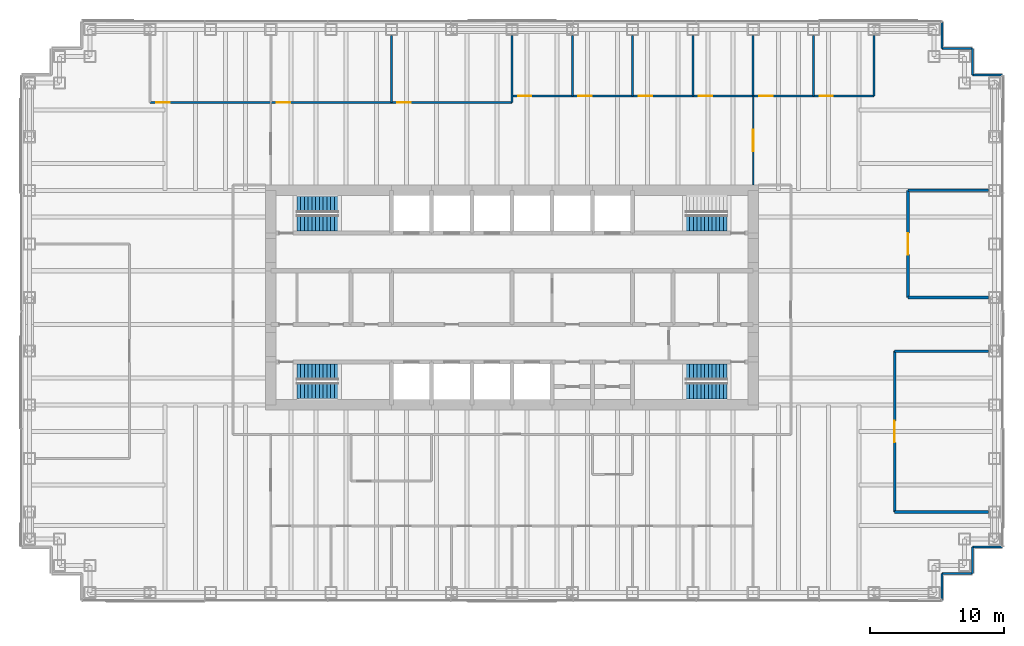
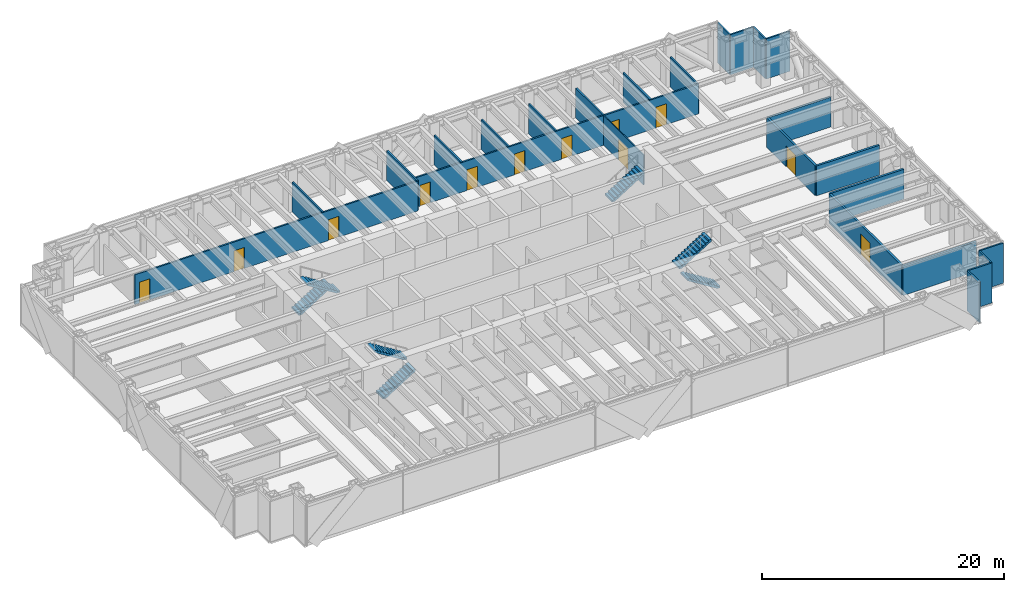
# One storey, part 13 of 15: 25 walls, 12 doors, 7 stair flights, 12 openings, 4 elements without a shape of their own.
"""IFC4 building model written with IfcOpenShell, lengths in metres."""

from ifc_helpers import new_model, si_unit, direction, frame, frame_2d, origin, place, context, subcontext, project, spatial, polyline, rectangle, outline, extrude, material, layer, layer_set, type_object, element, fill, aggregate, save


model = new_model("IFC4")

# Units and contexts
model_context = context("Model", 3, precision=1e-05, world=origin(), true_north=direction((0.0, 1.0)))
body_context = subcontext(model_context, "Body", "Model", "MODEL_VIEW")
ifc_project = project(units=[si_unit("LENGTHUNIT", "METRE"), si_unit("AREAUNIT", "SQUARE_METRE"), si_unit("VOLUMEUNIT", "CUBIC_METRE"), si_unit("PLANEANGLEUNIT", "RADIAN"), si_unit("MASSUNIT", "GRAM", prefix="KILO")], contexts=[model_context])

# Site, building, storey
site_placement = place(None, origin())
site = spatial("IfcSite", under=ifc_project, at=site_placement, CompositionType="ELEMENT")
building_placement = place(site_placement, origin())
building = spatial("IfcBuilding", under=site, at=building_placement, Name="Rheinbord Bourse Tower", CompositionType="ELEMENT")
storey_placement = place(building_placement, frame((0.0, 0.0, 215.199951171875)))
storey = spatial("IfcBuildingStorey", under=building, at=storey_placement, Name="L48", CompositionType="ELEMENT", Elevation=215.199951171875)

# Walls
ifc_material_1 = material(Name="Acoustic gypsum board partition", Category="gypsum board")
ifc_layer_1 = layer(ifc_material_1, 0.199951171875)
ifc_layer_set_1 = layer_set([ifc_layer_1], Name="ACOUSTIC PARTITION 200")
wall_type_1 = type_object("IfcWallType", Name="ACOUSTIC PARTITION 200", PredefinedType="PARTITIONING", material=ifc_layer_set_1)
for number, where, z_axis, x_axis, name in (
    (1, (64.550048828125, 8.0, 0.0), (0.0, 0.0, 1.0), (1.0, 0.0, 0.0), "Partition L48-02"),
    (2, (64.550048828125, 20.0, 0.0), (0.0, 0.0, 1.0), (1.0, 0.0, 0.0), "Partition L48-09"),
):
    element("IfcWall", number, at=place(storey_placement, frame(where, z_axis=z_axis, x_axis=x_axis)), inside=storey, type_object=wall_type_1, Name=name, PredefinedType="PARTITIONING", context=body_context, shape_type="SweptSolid", body=[
        extrude(rectangle(XDim=7.0, YDim=0.199951171875, at=frame_2d((3.5, 0.0))), origin(), (0.0, 0.0, 1.0), 3.0),
    ])
for number, where, z_axis, x_axis, name in (
    (3, (65.550048828125, 24.0, 0.0), (0.0, 0.0, 1.0), (1.0, 0.0, 0.0), "Partition L48-10"),
    (4, (65.550048828125, 32.0, 0.0), (0.0, 0.0, 1.0), (1.0, 0.0, 0.0), "Partition L48-12"),
):
    element("IfcWall", number, at=place(storey_placement, frame(where, z_axis=z_axis, x_axis=x_axis)), inside=storey, type_object=wall_type_1, Name=name, PredefinedType="PARTITIONING", context=body_context, shape_type="SweptSolid", body=[
        extrude(rectangle(XDim=6.0, YDim=0.199951171875, at=frame_2d((3.0, 0.0))), origin(), (0.0, 0.0, 1.0), 3.0),
    ])

# Wall, opening, door
wall_1_placement = place(storey_placement, frame((64.550048828125, 8.0, 0.0), z_axis=(0.0, 0.0, 1.0), x_axis=(0.0, 1.0, 0.0)))
wall_1 = element("IfcWall", 5, at=wall_1_placement, inside=storey, type_object=wall_type_1, Name="Partition L48-47", PredefinedType="PARTITIONING", context=body_context, shape_type="SweptSolid", body=[
    extrude(rectangle(XDim=12.0, YDim=0.199951171875, at=frame_2d((6.0, 0.0))), origin(), (0.0, 0.0, 1.0), 3.0),
])
opening_1_placement = place(wall_1_placement, frame((5.199951171875, 0.0, 0.0)))
opening_1 = element("IfcOpeningElement", 6, at=opening_1_placement, cuts=wall_1, Name="Opening 48D11", PredefinedType="OPENING", context=body_context, shape_type="SweptSolid", body=[
    extrude(rectangle(XDim=1.60009765625, YDim=2.10009765625, at=frame_2d((0.800048828125, 1.050048828125))), frame((0.0, 0.10986328125, 0.0), z_axis=(0.0, -1.0, 0.0), x_axis=(1.0, 0.0, 0.0)), (0.0, 0.0, 1.0), 0.219970703125),
])
ifc_material_2 = material(Name="Timber door", Category="wood")
door_type_1 = type_object("IfcDoorType", Name="DOUBLE ROOM DOOR 1600", OperationType="DOUBLE_DOOR_DOUBLE_SWING", PredefinedType="DOOR", material=ifc_material_2)
door_1_placement = place(opening_1_placement, origin())
door_1 = element("IfcDoor", 7, at=door_1_placement, inside=storey, type_object=door_type_1, Name="Conference room door L48", OperationType="SINGLE_SWING_LEFT", OverallHeight=2.10009765625, OverallWidth=1.60009765625, PredefinedType="DOOR", context=body_context, shape_type="SweptSolid", body=[
    extrude(rectangle(XDim=1.60009765625, YDim=2.10009765625, at=frame_2d((0.800048828125, 1.050048828125))), frame((0.0, 0.02490234375, 0.0), z_axis=(0.0, -1.0, 0.0), x_axis=(1.0, 0.0, 0.0)), (0.0, 0.0, 1.0), 0.050048828125),
])
fill(opening_1, door_1)

wall_2_placement = place(storey_placement, frame((65.550048828125, 24.0, 0.0), z_axis=(0.0, 0.0, 1.0), x_axis=(0.0, 1.0, 0.0)))
wall_2 = element("IfcWall", 8, at=wall_2_placement, inside=storey, type_object=wall_type_1, Name="Partition L48-48", PredefinedType="PARTITIONING", context=body_context, shape_type="SweptSolid", body=[
    extrude(rectangle(XDim=8.0, YDim=0.199951171875, at=frame_2d((4.0, 0.0))), origin(), (0.0, 0.0, 1.0), 3.0),
])
opening_2_placement = place(wall_2_placement, frame((3.199951171875, 0.0, 0.0)))
opening_2 = element("IfcOpeningElement", 9, at=opening_2_placement, cuts=wall_2, Name="Opening 48D13", PredefinedType="OPENING", context=body_context, shape_type="SweptSolid", body=[
    extrude(rectangle(XDim=1.60009765625, YDim=2.10009765625, at=frame_2d((0.800048828125, 1.050048828125))), frame((0.0, 0.10986328125, 0.0), z_axis=(0.0, -1.0, 0.0), x_axis=(1.0, 0.0, 0.0)), (0.0, 0.0, 1.0), 0.219970703125),
])
door_2_placement = place(opening_2_placement, origin())
door_2 = element("IfcDoor", 10, at=door_2_placement, inside=storey, type_object=door_type_1, Name="Conference room door L48", OperationType="SINGLE_SWING_LEFT", OverallHeight=2.10009765625, OverallWidth=1.60009765625, PredefinedType="DOOR", context=body_context, shape_type="SweptSolid", body=[
    extrude(rectangle(XDim=1.60009765625, YDim=2.10009765625, at=frame_2d((0.800048828125, 1.050048828125))), frame((0.0, 0.02490234375, 0.0), z_axis=(0.0, -1.0, 0.0), x_axis=(1.0, 0.0, 0.0)), (0.0, 0.0, 1.0), 0.050048828125),
])
fill(opening_2, door_2)

# Walls
ifc_material_3 = material(Name="Black metal rainscreen panel", Category="aluminium")
ifc_layer_2 = layer(ifc_material_3, 0.14990234375)
ifc_layer_set_2 = layer_set([ifc_layer_2], Name="CORNER PIER CLADDING 150")
wall_type_2 = type_object("IfcWallType", Name="CORNER PIER CLADDING 150", PredefinedType="ELEMENTEDWALL", material=ifc_layer_set_2)
wall_3_placement = place(storey_placement, frame((68.10009765625, 1.39990234375, 0.0), z_axis=(0.0, 0.0, 1.0), x_axis=(0.0, 1.0, 0.0)))
element("IfcWall", 11, at=wall_3_placement, inside=storey, type_object=wall_type_2, Name="Corner pier cladding L48 2", PredefinedType="ELEMENTEDWALL", context=body_context, shape_type="SweptSolid", body=[
    extrude(rectangle(XDim=2.0, YDim=0.14990234375, at=frame_2d((1.0, 0.0))), origin(), (0.0, 0.0, 1.0), 4.0400390625),
])
wall_4_placement = place(storey_placement, frame((68.10009765625, 3.39990234375, 0.0), z_axis=(0.0, 0.0, 1.0), x_axis=(1.0, 0.0, 0.0)))
element("IfcWall", 12, at=wall_4_placement, inside=storey, type_object=wall_type_2, Name="Corner pier cladding L48 3", PredefinedType="ELEMENTEDWALL", context=body_context, shape_type="SweptSolid", body=[
    extrude(rectangle(XDim=2.25, YDim=0.14990234375, at=frame_2d((1.125, 0.0))), origin(), (0.0, 0.0, 1.0), 4.0400390625),
])
wall_5_placement = place(storey_placement, frame((70.35009765625, 3.39990234375, 0.0), z_axis=(0.0, 0.0, 1.0), x_axis=(0.0, 1.0, 0.0)))
element("IfcWall", 13, at=wall_5_placement, inside=storey, type_object=wall_type_2, Name="Corner pier cladding L48 4", PredefinedType="ELEMENTEDWALL", context=body_context, shape_type="SweptSolid", body=[
    extrude(rectangle(XDim=2.0, YDim=0.14990234375, at=frame_2d((1.0, 0.0))), origin(), (0.0, 0.0, 1.0), 4.0400390625),
])
for number, where, z_axis, x_axis, name in (
    (14, (70.35009765625, 5.39990234375, 0.0), (0.0, 0.0, 1.0), (1.0, 0.0, 0.0), "Corner pier cladding L48 5"),
    (15, (72.60009765625, 40.60009765625, 0.0), (0.0, 0.0, 1.0), (-1.0, 0.0, 0.0), "Corner pier cladding L48 7"),
):
    element("IfcWall", number, at=place(storey_placement, frame(where, z_axis=z_axis, x_axis=x_axis)), inside=storey, type_object=wall_type_2, Name=name, PredefinedType="ELEMENTEDWALL", context=body_context, shape_type="SweptSolid", body=[
        extrude(rectangle(XDim=2.25, YDim=0.14990234375, at=frame_2d((1.125, 0.0))), origin(), (0.0, 0.0, 1.0), 4.0400390625),
    ])
wall_6_placement = place(storey_placement, frame((70.35009765625, 40.60009765625, 0.0), z_axis=(0.0, 0.0, 1.0), x_axis=(0.0, 1.0, 0.0)))
element("IfcWall", 16, at=wall_6_placement, inside=storey, type_object=wall_type_2, Name="Corner pier cladding L48 8", PredefinedType="ELEMENTEDWALL", context=body_context, shape_type="SweptSolid", body=[
    extrude(rectangle(XDim=2.0, YDim=0.14990234375, at=frame_2d((1.0, 0.0))), origin(), (0.0, 0.0, 1.0), 4.0400390625),
])
wall_7_placement = place(storey_placement, frame((70.35009765625, 42.60009765625, 0.0), z_axis=(0.0, 0.0, 1.0), x_axis=(-1.0, 0.0, 0.0)))
element("IfcWall", 17, at=wall_7_placement, inside=storey, type_object=wall_type_2, Name="Corner pier cladding L48 9", PredefinedType="ELEMENTEDWALL", context=body_context, shape_type="SweptSolid", body=[
    extrude(rectangle(XDim=2.25, YDim=0.14990234375, at=frame_2d((1.125, 0.0))), origin(), (0.0, 0.0, 1.0), 4.0400390625),
])
wall_8_placement = place(storey_placement, frame((68.10009765625, 42.60009765625, 0.0), z_axis=(0.0, 0.0, 1.0), x_axis=(0.0, 1.0, 0.0)))
element("IfcWall", 18, at=wall_8_placement, inside=storey, type_object=wall_type_2, Name="Corner pier cladding L48 10", PredefinedType="ELEMENTEDWALL", context=body_context, shape_type="SweptSolid", body=[
    extrude(rectangle(XDim=2.0, YDim=0.14990234375, at=frame_2d((1.0, 0.0))), origin(), (0.0, 0.0, 1.0), 4.0400390625),
])

# Wall, opening, door
ifc_material_4 = material(Name="Toughened laminated glass partition", Category="glass")
ifc_layer_3 = layer(ifc_material_4, 0.10009765625)
ifc_layer_set_3 = layer_set([ifc_layer_3], Name="GLAZED PARTITION 100")
wall_type_3 = type_object("IfcWallType", Name="GLAZED PARTITION 100", PredefinedType="PARTITIONING", material=ifc_layer_set_3)
wall_9_placement = place(storey_placement, frame((54.0, 32.39990234375, 0.0), z_axis=(0.0, 0.0, 1.0), x_axis=(0.0, 1.0, 0.0)))
wall_9 = element("IfcWall", 19, at=wall_9_placement, inside=storey, type_object=wall_type_3, Name="Partition L48-42", PredefinedType="PARTITIONING", context=body_context, shape_type="SweptSolid", body=[
    extrude(rectangle(XDim=6.650146484375, YDim=0.10009765625, at=frame_2d((3.3251953125, 0.0))), origin(), (0.0, 0.0, 1.0), 3.0),
])
opening_3_placement = place(wall_9_placement, frame((2.52490234375, 0.0, 0.0)))
opening_3 = element("IfcOpeningElement", 20, at=opening_3_placement, cuts=wall_9, Name="Opening 48D26", PredefinedType="OPENING", context=body_context, shape_type="SweptSolid", body=[
    extrude(rectangle(XDim=1.60009765625, YDim=2.10009765625, at=frame_2d((0.800048828125, 1.050048828125))), frame((0.0, 0.06005859375, 0.0), z_axis=(0.0, -1.0, 0.0), x_axis=(1.0, 0.0, 0.0)), (0.0, 0.0, 1.0), 0.1201171875),
])
door_3_placement = place(opening_3_placement, origin())
door_3 = element("IfcDoor", 21, at=door_3_placement, inside=storey, type_object=door_type_1, Name="Open area door L48", OperationType="SINGLE_SWING_LEFT", OverallHeight=2.10009765625, OverallWidth=1.60009765625, PredefinedType="DOOR", context=body_context, shape_type="SweptSolid", body=[
    extrude(rectangle(XDim=1.60009765625, YDim=2.10009765625, at=frame_2d((0.800048828125, 1.050048828125))), frame((0.0, 0.02490234375, 0.0), z_axis=(0.0, -1.0, 0.0), x_axis=(1.0, 0.0, 0.0)), (0.0, 0.0, 1.0), 0.050048828125),
])
fill(opening_3, door_3)

# Wall, openings, doors
ifc_material_5 = material(Name="Gypsum board partition", Category="gypsum board")
ifc_layer_4 = layer(ifc_material_5, 0.14990234375)
ifc_layer_set_4 = layer_set([ifc_layer_4], Name="PARTITION 150")
wall_type_4 = type_object("IfcWallType", Name="PARTITION 150", PredefinedType="PARTITIONING", material=ifc_layer_set_4)
wall_10_placement = place(storey_placement, frame((9.0, 38.550048828125, 0.0), z_axis=(0.0, 0.0, 1.0), x_axis=(1.0, 0.0, 0.0)))
wall_10 = element("IfcWall", 22, at=wall_10_placement, inside=storey, type_object=wall_type_4, Name="Partition L48-15", PredefinedType="PARTITIONING", context=body_context, shape_type="SweptSolid", body=[
    extrude(rectangle(XDim=27.0, YDim=0.14990234375, at=frame_2d((13.5, 0.0))), origin(), (0.0, 0.0, 1.0), 3.0),
])
opening_4_placement = place(wall_10_placement, frame((0.449951171875, 0.0, 0.0)))
opening_4 = element("IfcOpeningElement", 23, at=opening_4_placement, cuts=wall_10, Name="Opening 48D14", PredefinedType="OPENING", context=body_context, shape_type="SweptSolid", body=[
    extrude(rectangle(XDim=1.0, YDim=2.10009765625, at=frame_2d((0.5, 1.050048828125))), frame((0.0, 0.0849609375, 0.0), z_axis=(0.0, -1.0, 0.0), x_axis=(1.0, 0.0, 0.0)), (0.0, 0.0, 1.0), 0.169921875),
])
opening_5_placement = place(wall_10_placement, frame((9.449951171875, 0.0, 0.0)))
opening_5 = element("IfcOpeningElement", 24, at=opening_5_placement, cuts=wall_10, Name="Opening 48D15", PredefinedType="OPENING", context=body_context, shape_type="SweptSolid", body=[
    extrude(rectangle(XDim=1.0, YDim=2.10009765625, at=frame_2d((0.5, 1.050048828125))), frame((0.0, 0.0849609375, 0.0), z_axis=(0.0, -1.0, 0.0), x_axis=(1.0, 0.0, 0.0)), (0.0, 0.0, 1.0), 0.169921875),
])
opening_6_placement = place(wall_10_placement, frame((18.449951171875, 0.0, 0.0)))
opening_6 = element("IfcOpeningElement", 25, at=opening_6_placement, cuts=wall_10, Name="Opening 48D16", PredefinedType="OPENING", context=body_context, shape_type="SweptSolid", body=[
    extrude(rectangle(XDim=1.0, YDim=2.10009765625, at=frame_2d((0.5, 1.050048828125))), frame((0.0, 0.0849609375, 0.0), z_axis=(0.0, -1.0, 0.0), x_axis=(1.0, 0.0, 0.0)), (0.0, 0.0, 1.0), 0.169921875),
])
ifc_material_6 = material(Name="Timber door", Category="wood")
door_type_2 = type_object("IfcDoorType", Name="ROOM DOOR 1000", OperationType="SINGLE_SWING_LEFT", PredefinedType="DOOR", material=ifc_material_6)
door_4_placement = place(opening_4_placement, origin())
door_4 = element("IfcDoor", 26, at=door_4_placement, inside=storey, type_object=door_type_2, Name="Partner office door L48", OperationType="SINGLE_SWING_LEFT", OverallHeight=2.10009765625, OverallWidth=1.0, PredefinedType="DOOR", context=body_context, shape_type="SweptSolid", body=[
    extrude(rectangle(XDim=1.0, YDim=2.10009765625, at=frame_2d((0.5, 1.050048828125))), frame((0.0, 0.02490234375, 0.0), z_axis=(0.0, -1.0, 0.0), x_axis=(1.0, 0.0, 0.0)), (0.0, 0.0, 1.0), 0.050048828125),
])
fill(opening_4, door_4)
door_5_placement = place(opening_5_placement, origin())
door_5 = element("IfcDoor", 27, at=door_5_placement, inside=storey, type_object=door_type_2, Name="Partner office door L48", OperationType="SINGLE_SWING_LEFT", OverallHeight=2.10009765625, OverallWidth=1.0, PredefinedType="DOOR", context=body_context, shape_type="SweptSolid", body=[
    extrude(rectangle(XDim=1.0, YDim=2.10009765625, at=frame_2d((0.5, 1.050048828125))), frame((0.0, 0.02490234375, 0.0), z_axis=(0.0, -1.0, 0.0), x_axis=(1.0, 0.0, 0.0)), (0.0, 0.0, 1.0), 0.050048828125),
])
fill(opening_5, door_5)
door_6_placement = place(opening_6_placement, origin())
door_6 = element("IfcDoor", 28, at=door_6_placement, inside=storey, type_object=door_type_2, Name="Partner office door L48", OperationType="SINGLE_SWING_RIGHT", OverallHeight=2.10009765625, OverallWidth=1.0, PredefinedType="DOOR", context=body_context, shape_type="SweptSolid", body=[
    extrude(rectangle(XDim=1.0, YDim=2.10009765625, at=frame_2d((0.5, 1.050048828125))), frame((0.0, 0.02490234375, 0.0), z_axis=(0.0, -1.0, 0.0), x_axis=(1.0, 0.0, 0.0)), (0.0, 0.0, 1.0), 0.050048828125),
])
fill(opening_6, door_6)

wall_11_placement = place(storey_placement, frame((36.0, 39.050048828125, 0.0), z_axis=(0.0, 0.0, 1.0), x_axis=(1.0, 0.0, 0.0)))
wall_11 = element("IfcWall", 29, at=wall_11_placement, inside=storey, type_object=wall_type_4, Name="Partition L48-16", PredefinedType="PARTITIONING", context=body_context, shape_type="SweptSolid", body=[
    extrude(rectangle(XDim=27.0, YDim=0.14990234375, at=frame_2d((13.5, 0.0))), origin(), (0.0, 0.0, 1.0), 3.0),
])
opening_7_placement = place(wall_11_placement, frame((0.449951171875, 0.0, 0.0)))
opening_7 = element("IfcOpeningElement", 30, at=opening_7_placement, cuts=wall_11, Name="Opening 48D17", PredefinedType="OPENING", context=body_context, shape_type="SweptSolid", body=[
    extrude(rectangle(XDim=1.0, YDim=2.10009765625, at=frame_2d((0.5, 1.050048828125))), frame((0.0, 0.0849609375, 0.0), z_axis=(0.0, -1.0, 0.0), x_axis=(1.0, 0.0, 0.0)), (0.0, 0.0, 1.0), 0.169921875),
])
opening_8_placement = place(wall_11_placement, frame((4.949951171875, 0.0, 0.0)))
opening_8 = element("IfcOpeningElement", 31, at=opening_8_placement, cuts=wall_11, Name="Opening 48D18", PredefinedType="OPENING", context=body_context, shape_type="SweptSolid", body=[
    extrude(rectangle(XDim=1.0, YDim=2.10009765625, at=frame_2d((0.5, 1.050048828125))), frame((0.0, 0.0849609375, 0.0), z_axis=(0.0, -1.0, 0.0), x_axis=(1.0, 0.0, 0.0)), (0.0, 0.0, 1.0), 0.169921875),
])
opening_9_placement = place(wall_11_placement, frame((9.449951171875, 0.0, 0.0)))
opening_9 = element("IfcOpeningElement", 32, at=opening_9_placement, cuts=wall_11, Name="Opening 48D19", PredefinedType="OPENING", context=body_context, shape_type="SweptSolid", body=[
    extrude(rectangle(XDim=1.0, YDim=2.10009765625, at=frame_2d((0.5, 1.050048828125))), frame((0.0, 0.0849609375, 0.0), z_axis=(0.0, -1.0, 0.0), x_axis=(1.0, 0.0, 0.0)), (0.0, 0.0, 1.0), 0.169921875),
])
opening_10_placement = place(wall_11_placement, frame((13.949951171875, 0.0, 0.0)))
opening_10 = element("IfcOpeningElement", 33, at=opening_10_placement, cuts=wall_11, Name="Opening 48D20", PredefinedType="OPENING", context=body_context, shape_type="SweptSolid", body=[
    extrude(rectangle(XDim=1.0, YDim=2.10009765625, at=frame_2d((0.5, 1.050048828125))), frame((0.0, 0.0849609375, 0.0), z_axis=(0.0, -1.0, 0.0), x_axis=(1.0, 0.0, 0.0)), (0.0, 0.0, 1.0), 0.169921875),
])
opening_11_placement = place(wall_11_placement, frame((18.449951171875, 0.0, 0.0)))
opening_11 = element("IfcOpeningElement", 34, at=opening_11_placement, cuts=wall_11, Name="Opening 48D21", PredefinedType="OPENING", context=body_context, shape_type="SweptSolid", body=[
    extrude(rectangle(XDim=1.0, YDim=2.10009765625, at=frame_2d((0.5, 1.050048828125))), frame((0.0, 0.0849609375, 0.0), z_axis=(0.0, -1.0, 0.0), x_axis=(1.0, 0.0, 0.0)), (0.0, 0.0, 1.0), 0.169921875),
])
opening_12_placement = place(wall_11_placement, frame((22.949951171875, 0.0, 0.0)))
opening_12 = element("IfcOpeningElement", 35, at=opening_12_placement, cuts=wall_11, Name="Opening 48D22", PredefinedType="OPENING", context=body_context, shape_type="SweptSolid", body=[
    extrude(rectangle(XDim=1.0, YDim=2.10009765625, at=frame_2d((0.5, 1.050048828125))), frame((0.0, 0.0849609375, 0.0), z_axis=(0.0, -1.0, 0.0), x_axis=(1.0, 0.0, 0.0)), (0.0, 0.0, 1.0), 0.169921875),
])
door_7_placement = place(opening_7_placement, origin())
door_7 = element("IfcDoor", 36, at=door_7_placement, inside=storey, type_object=door_type_2, Name="Office door L48", OperationType="SINGLE_SWING_LEFT", OverallHeight=2.10009765625, OverallWidth=1.0, PredefinedType="DOOR", context=body_context, shape_type="SweptSolid", body=[
    extrude(rectangle(XDim=1.0, YDim=2.10009765625, at=frame_2d((0.5, 1.050048828125))), frame((0.0, 0.02490234375, 0.0), z_axis=(0.0, -1.0, 0.0), x_axis=(1.0, 0.0, 0.0)), (0.0, 0.0, 1.0), 0.050048828125),
])
fill(opening_7, door_7)
door_8_placement = place(opening_8_placement, origin())
door_8 = element("IfcDoor", 37, at=door_8_placement, inside=storey, type_object=door_type_2, Name="Office door L48", OperationType="SINGLE_SWING_LEFT", OverallHeight=2.10009765625, OverallWidth=1.0, PredefinedType="DOOR", context=body_context, shape_type="SweptSolid", body=[
    extrude(rectangle(XDim=1.0, YDim=2.10009765625, at=frame_2d((0.5, 1.050048828125))), frame((0.0, 0.02490234375, 0.0), z_axis=(0.0, -1.0, 0.0), x_axis=(1.0, 0.0, 0.0)), (0.0, 0.0, 1.0), 0.050048828125),
])
fill(opening_8, door_8)
door_9_placement = place(opening_9_placement, origin())
door_9 = element("IfcDoor", 38, at=door_9_placement, inside=storey, type_object=door_type_2, Name="Office door L48", OperationType="SINGLE_SWING_LEFT", OverallHeight=2.10009765625, OverallWidth=1.0, PredefinedType="DOOR", context=body_context, shape_type="SweptSolid", body=[
    extrude(rectangle(XDim=1.0, YDim=2.10009765625, at=frame_2d((0.5, 1.050048828125))), frame((0.0, 0.02490234375, 0.0), z_axis=(0.0, -1.0, 0.0), x_axis=(1.0, 0.0, 0.0)), (0.0, 0.0, 1.0), 0.050048828125),
])
fill(opening_9, door_9)
door_10_placement = place(opening_10_placement, origin())
door_10 = element("IfcDoor", 39, at=door_10_placement, inside=storey, type_object=door_type_2, Name="Office door L48", OperationType="SINGLE_SWING_RIGHT", OverallHeight=2.10009765625, OverallWidth=1.0, PredefinedType="DOOR", context=body_context, shape_type="SweptSolid", body=[
    extrude(rectangle(XDim=1.0, YDim=2.10009765625, at=frame_2d((0.5, 1.050048828125))), frame((0.0, 0.02490234375, 0.0), z_axis=(0.0, -1.0, 0.0), x_axis=(1.0, 0.0, 0.0)), (0.0, 0.0, 1.0), 0.050048828125),
])
fill(opening_10, door_10)
door_11_placement = place(opening_11_placement, origin())
door_11 = element("IfcDoor", 40, at=door_11_placement, inside=storey, type_object=door_type_2, Name="Office door L48", OperationType="SINGLE_SWING_RIGHT", OverallHeight=2.10009765625, OverallWidth=1.0, PredefinedType="DOOR", context=body_context, shape_type="SweptSolid", body=[
    extrude(rectangle(XDim=1.0, YDim=2.10009765625, at=frame_2d((0.5, 1.050048828125))), frame((0.0, 0.02490234375, 0.0), z_axis=(0.0, -1.0, 0.0), x_axis=(1.0, 0.0, 0.0)), (0.0, 0.0, 1.0), 0.050048828125),
])
fill(opening_11, door_11)
door_12_placement = place(opening_12_placement, origin())
door_12 = element("IfcDoor", 41, at=door_12_placement, inside=storey, type_object=door_type_2, Name="Office door L48", OperationType="SINGLE_SWING_RIGHT", OverallHeight=2.10009765625, OverallWidth=1.0, PredefinedType="DOOR", context=body_context, shape_type="SweptSolid", body=[
    extrude(rectangle(XDim=1.0, YDim=2.10009765625, at=frame_2d((0.5, 1.050048828125))), frame((0.0, 0.02490234375, 0.0), z_axis=(0.0, -1.0, 0.0), x_axis=(1.0, 0.0, 0.0)), (0.0, 0.0, 1.0), 0.050048828125),
])
fill(opening_12, door_12)

# Walls
for number, where, z_axis, x_axis, name in (
    (42, (27.0, 38.550048828125, 0.0), (0.0, 0.0, 1.0), (0.0, 1.0, 0.0), "Partition L48-27"),
    (43, (36.0, 38.550048828125, 0.0), (0.0, 0.0, 1.0), (0.0, 1.0, 0.0), "Partition L48-31"),
):
    element("IfcWall", number, at=place(storey_placement, frame(where, z_axis=z_axis, x_axis=x_axis)), inside=storey, type_object=wall_type_4, Name=name, PredefinedType="PARTITIONING", context=body_context, shape_type="SweptSolid", body=[
        extrude(rectangle(XDim=5.0, YDim=0.14990234375, at=frame_2d((2.5, 0.0))), origin(), (0.0, 0.0, 1.0), 3.0),
    ])
for number, where, z_axis, x_axis, name in (
    (44, (40.5, 39.050048828125, 0.0), (0.0, 0.0, 1.0), (0.0, 1.0, 0.0), "Partition L48-33"),
    (45, (45.0, 39.050048828125, 0.0), (0.0, 0.0, 1.0), (0.0, 1.0, 0.0), "Partition L48-37"),
    (46, (49.5, 39.050048828125, 0.0), (0.0, 0.0, 1.0), (0.0, 1.0, 0.0), "Partition L48-39"),
    (47, (54.0, 39.050048828125, 0.0), (0.0, 0.0, 1.0), (0.0, 1.0, 0.0), "Partition L48-43"),
    (48, (58.5, 39.050048828125, 0.0), (0.0, 0.0, 1.0), (0.0, 1.0, 0.0), "Partition L48-45"),
    (49, (63.0, 39.050048828125, 0.0), (0.0, 0.0, 1.0), (0.0, 1.0, 0.0), "Partition L48-46"),
):
    element("IfcWall", number, at=place(storey_placement, frame(where, z_axis=z_axis, x_axis=x_axis)), inside=storey, type_object=wall_type_4, Name=name, PredefinedType="PARTITIONING", context=body_context, shape_type="SweptSolid", body=[
        extrude(rectangle(XDim=4.5, YDim=0.14990234375, at=frame_2d((2.25, 0.0))), origin(), (0.0, 0.0, 1.0), 3.0),
    ])

# Stair, stair flights
ifc_material_7 = material(Name="Concrete C30/37", Category="concrete")
stair_type = type_object("IfcStairType", Name="CORE STAIR HALF TURN 4200", PredefinedType="HALF_TURN_STAIR", material=ifc_material_7)
stair_1_placement = place(storey_placement, origin())
stair_1 = element("IfcStair", 50, at=stair_1_placement, inside=storey, type_object=stair_type, Name="Stair ST1 L48, type CS6", PredefinedType="HALF_TURN_STAIR")
ifc_material_8 = material(Name="Concrete C30/37", Category="concrete")
stair_flight_type = type_object("IfcStairFlightType", Name="CORE STAIR FLIGHT 1200, 12 RISERS", PredefinedType="STRAIGHT", material=ifc_material_8)
stair_flight_1_placement = place(storey_placement, frame((19.949951171875, 17.050048828125, 0.0), z_axis=(0.0, 0.0, 1.0), x_axis=(1.0, 0.0, 0.0)))
stair_flight_1 = element("IfcStairFlight", 51, at=stair_flight_1_placement, type_object=stair_flight_type, Name="STAIR L48 ST1 F1", NumberOfRisers=12, NumberOfTreads=11, PredefinedType="STRAIGHT", RiserHeight=0.175, TreadLength=0.28, context=body_context, shape_type="SweptSolid", body=[
    extrude(outline(polyline([(0.0, 0.0), (0.0, 0.175048828125), (0.280029296875, 0.175048828125), (0.280029296875, 0.35009765625), (0.56005859375, 0.35009765625), (0.56005859375, 0.52490234375), (0.840087890625, 0.52490234375), (0.840087890625, 0.699951171875), (1.1201171875, 0.699951171875), (1.1201171875, 0.875), (1.39990234375, 0.875), (1.39990234375, 1.050048828125), (1.679931640625, 1.050048828125), (1.679931640625, 1.22509765625), (1.9599609375, 1.22509765625), (1.9599609375, 1.39990234375), (2.239990234375, 1.39990234375), (2.239990234375, 1.574951171875), (2.52001953125, 1.574951171875), (2.52001953125, 1.75), (2.800048828125, 1.75), (2.800048828125, 1.925048828125), (3.080078125, 1.925048828125), (3.080078125, 2.10009765625), (3.080078125, 1.748291015625), (0.28271484375, 0.0), (0.0, 0.0)])), frame((0.0, 0.60009765625, 0.0), z_axis=(0.0, -1.0, 0.0), x_axis=(1.0, 0.0, 0.0)), (0.0, 0.0, 1.0), 1.199951171875),
])
stair_flight_2_placement = place(storey_placement, frame((23.030029296875, 18.449951171875, 2.10009765625), z_axis=(0.0, 0.0, 1.0), x_axis=(-1.0, 0.0, 0.0)))
stair_flight_2 = element("IfcStairFlight", 52, at=stair_flight_2_placement, type_object=stair_flight_type, Name="STAIR L48 ST1 F2", NumberOfRisers=12, NumberOfTreads=11, PredefinedType="STRAIGHT", RiserHeight=0.175, TreadLength=0.28, context=body_context, shape_type="SweptSolid", body=[
    extrude(outline(polyline([(0.0, 0.0), (0.0, 0.175048828125), (0.280029296875, 0.175048828125), (0.280029296875, 0.35009765625), (0.56005859375, 0.35009765625), (0.56005859375, 0.52490234375), (0.840087890625, 0.52490234375), (0.840087890625, 0.699951171875), (1.1201171875, 0.699951171875), (1.1201171875, 0.875), (1.39990234375, 0.875), (1.39990234375, 1.050048828125), (1.679931640625, 1.050048828125), (1.679931640625, 1.22509765625), (1.9599609375, 1.22509765625), (1.9599609375, 1.39990234375), (2.239990234375, 1.39990234375), (2.239990234375, 1.574951171875), (2.52001953125, 1.574951171875), (2.52001953125, 1.75), (2.800048828125, 1.75), (2.800048828125, 1.925048828125), (3.080078125, 1.925048828125), (3.080078125, 2.10009765625), (3.080078125, 1.748291015625), (0.28271484375, 0.0), (0.0, 0.0)])), frame((0.0, 0.60009765625, 0.0), z_axis=(0.0, -1.0, 0.0), x_axis=(1.0, 0.0, 0.0)), (0.0, 0.0, 1.0), 1.199951171875),
])
aggregate(stair_1, [stair_flight_1, stair_flight_2])

stair_2_placement = place(storey_placement, origin())
stair_2 = element("IfcStair", 53, at=stair_2_placement, inside=storey, type_object=stair_type, Name="Stair ST2 L48, type CS6", PredefinedType="HALF_TURN_STAIR")
stair_flight_3_placement = place(storey_placement, frame((19.949951171875, 30.949951171875, 0.0), z_axis=(0.0, 0.0, 1.0), x_axis=(1.0, 0.0, 0.0)))
stair_flight_3 = element("IfcStairFlight", 54, at=stair_flight_3_placement, type_object=stair_flight_type, Name="STAIR L48 ST2 F1", NumberOfRisers=12, NumberOfTreads=11, PredefinedType="STRAIGHT", RiserHeight=0.175, TreadLength=0.28, context=body_context, shape_type="SweptSolid", body=[
    extrude(outline(polyline([(0.0, 0.0), (0.0, 0.175048828125), (0.280029296875, 0.175048828125), (0.280029296875, 0.35009765625), (0.56005859375, 0.35009765625), (0.56005859375, 0.52490234375), (0.840087890625, 0.52490234375), (0.840087890625, 0.699951171875), (1.1201171875, 0.699951171875), (1.1201171875, 0.875), (1.39990234375, 0.875), (1.39990234375, 1.050048828125), (1.679931640625, 1.050048828125), (1.679931640625, 1.22509765625), (1.9599609375, 1.22509765625), (1.9599609375, 1.39990234375), (2.239990234375, 1.39990234375), (2.239990234375, 1.574951171875), (2.52001953125, 1.574951171875), (2.52001953125, 1.75), (2.800048828125, 1.75), (2.800048828125, 1.925048828125), (3.080078125, 1.925048828125), (3.080078125, 2.10009765625), (3.080078125, 1.748291015625), (0.28271484375, 0.0), (0.0, 0.0)])), frame((0.0, 0.60009765625, 0.0), z_axis=(0.0, -1.0, 0.0), x_axis=(1.0, 0.0, 0.0)), (0.0, 0.0, 1.0), 1.199951171875),
])
stair_flight_4_placement = place(storey_placement, frame((23.030029296875, 29.550048828125, 2.10009765625), z_axis=(0.0, 0.0, 1.0), x_axis=(-1.0, 0.0, 0.0)))
stair_flight_4 = element("IfcStairFlight", 55, at=stair_flight_4_placement, type_object=stair_flight_type, Name="STAIR L48 ST2 F2", NumberOfRisers=12, NumberOfTreads=11, PredefinedType="STRAIGHT", RiserHeight=0.175, TreadLength=0.28, context=body_context, shape_type="SweptSolid", body=[
    extrude(outline(polyline([(0.0, 0.0), (0.0, 0.175048828125), (0.280029296875, 0.175048828125), (0.280029296875, 0.35009765625), (0.56005859375, 0.35009765625), (0.56005859375, 0.52490234375), (0.840087890625, 0.52490234375), (0.840087890625, 0.699951171875), (1.1201171875, 0.699951171875), (1.1201171875, 0.875), (1.39990234375, 0.875), (1.39990234375, 1.050048828125), (1.679931640625, 1.050048828125), (1.679931640625, 1.22509765625), (1.9599609375, 1.22509765625), (1.9599609375, 1.39990234375), (2.239990234375, 1.39990234375), (2.239990234375, 1.574951171875), (2.52001953125, 1.574951171875), (2.52001953125, 1.75), (2.800048828125, 1.75), (2.800048828125, 1.925048828125), (3.080078125, 1.925048828125), (3.080078125, 2.10009765625), (3.080078125, 1.748291015625), (0.28271484375, 0.0), (0.0, 0.0)])), frame((0.0, 0.60009765625, 0.0), z_axis=(0.0, -1.0, 0.0), x_axis=(1.0, 0.0, 0.0)), (0.0, 0.0, 1.0), 1.199951171875),
])
aggregate(stair_2, [stair_flight_3, stair_flight_4])

stair_3_placement = place(storey_placement, origin())
stair_3 = element("IfcStair", 56, at=stair_3_placement, inside=storey, type_object=stair_type, Name="Stair ST3 L48, type CS6", PredefinedType="HALF_TURN_STAIR")
stair_flight_5_placement = place(storey_placement, frame((52.050048828125, 17.050048828125, 0.0), z_axis=(0.0, 0.0, 1.0), x_axis=(-1.0, 0.0, 0.0)))
stair_flight_5 = element("IfcStairFlight", 57, at=stair_flight_5_placement, type_object=stair_flight_type, Name="STAIR L48 ST3 F1", NumberOfRisers=12, NumberOfTreads=11, PredefinedType="STRAIGHT", RiserHeight=0.175, TreadLength=0.28, context=body_context, shape_type="SweptSolid", body=[
    extrude(outline(polyline([(0.0, 0.0), (0.0, 0.175048828125), (0.280029296875, 0.175048828125), (0.280029296875, 0.35009765625), (0.56005859375, 0.35009765625), (0.56005859375, 0.52490234375), (0.840087890625, 0.52490234375), (0.840087890625, 0.699951171875), (1.1201171875, 0.699951171875), (1.1201171875, 0.875), (1.39990234375, 0.875), (1.39990234375, 1.050048828125), (1.679931640625, 1.050048828125), (1.679931640625, 1.22509765625), (1.9599609375, 1.22509765625), (1.9599609375, 1.39990234375), (2.239990234375, 1.39990234375), (2.239990234375, 1.574951171875), (2.52001953125, 1.574951171875), (2.52001953125, 1.75), (2.800048828125, 1.75), (2.800048828125, 1.925048828125), (3.080078125, 1.925048828125), (3.080078125, 2.10009765625), (3.080078125, 1.748291015625), (0.28271484375, 0.0), (0.0, 0.0)])), frame((0.0, 0.60009765625, 0.0), z_axis=(0.0, -1.0, 0.0), x_axis=(1.0, 0.0, 0.0)), (0.0, 0.0, 1.0), 1.199951171875),
])
stair_flight_6_placement = place(storey_placement, frame((48.969970703125, 18.449951171875, 2.10009765625), z_axis=(0.0, 0.0, 1.0), x_axis=(1.0, 0.0, 0.0)))
stair_flight_6 = element("IfcStairFlight", 58, at=stair_flight_6_placement, type_object=stair_flight_type, Name="STAIR L48 ST3 F2", NumberOfRisers=12, NumberOfTreads=11, PredefinedType="STRAIGHT", RiserHeight=0.175, TreadLength=0.28, context=body_context, shape_type="SweptSolid", body=[
    extrude(outline(polyline([(0.0, 0.0), (0.0, 0.175048828125), (0.280029296875, 0.175048828125), (0.280029296875, 0.35009765625), (0.56005859375, 0.35009765625), (0.56005859375, 0.52490234375), (0.840087890625, 0.52490234375), (0.840087890625, 0.699951171875), (1.1201171875, 0.699951171875), (1.1201171875, 0.875), (1.39990234375, 0.875), (1.39990234375, 1.050048828125), (1.679931640625, 1.050048828125), (1.679931640625, 1.22509765625), (1.9599609375, 1.22509765625), (1.9599609375, 1.39990234375), (2.239990234375, 1.39990234375), (2.239990234375, 1.574951171875), (2.52001953125, 1.574951171875), (2.52001953125, 1.75), (2.800048828125, 1.75), (2.800048828125, 1.925048828125), (3.080078125, 1.925048828125), (3.080078125, 2.10009765625), (3.080078125, 1.748291015625), (0.28271484375, 0.0), (0.0, 0.0)])), frame((0.0, 0.60009765625, 0.0), z_axis=(0.0, -1.0, 0.0), x_axis=(1.0, 0.0, 0.0)), (0.0, 0.0, 1.0), 1.199951171875),
])
aggregate(stair_3, [stair_flight_5, stair_flight_6])

# Stair, stair flight
stair_4_placement = place(storey_placement, origin())
stair_4 = element("IfcStair", 59, at=stair_4_placement, inside=storey, type_object=stair_type, Name="Stair ST4 L48, type CS6", PredefinedType="HALF_TURN_STAIR")
stair_flight_7_placement = place(storey_placement, frame((48.969970703125, 29.550048828125, 2.10009765625), z_axis=(0.0, 0.0, 1.0), x_axis=(1.0, 0.0, 0.0)))
stair_flight_7 = element("IfcStairFlight", 60, at=stair_flight_7_placement, type_object=stair_flight_type, Name="STAIR L48 ST4 F2", NumberOfRisers=12, NumberOfTreads=11, PredefinedType="STRAIGHT", RiserHeight=0.175, TreadLength=0.28, context=body_context, shape_type="SweptSolid", body=[
    extrude(outline(polyline([(0.0, 0.0), (0.0, 0.175048828125), (0.280029296875, 0.175048828125), (0.280029296875, 0.35009765625), (0.56005859375, 0.35009765625), (0.56005859375, 0.52490234375), (0.840087890625, 0.52490234375), (0.840087890625, 0.699951171875), (1.1201171875, 0.699951171875), (1.1201171875, 0.875), (1.39990234375, 0.875), (1.39990234375, 1.050048828125), (1.679931640625, 1.050048828125), (1.679931640625, 1.22509765625), (1.9599609375, 1.22509765625), (1.9599609375, 1.39990234375), (2.239990234375, 1.39990234375), (2.239990234375, 1.574951171875), (2.52001953125, 1.574951171875), (2.52001953125, 1.75), (2.800048828125, 1.75), (2.800048828125, 1.925048828125), (3.080078125, 1.925048828125), (3.080078125, 2.10009765625), (3.080078125, 1.748291015625), (0.28271484375, 0.0), (0.0, 0.0)])), frame((0.0, 0.60009765625, 0.0), z_axis=(0.0, -1.0, 0.0), x_axis=(1.0, 0.0, 0.0)), (0.0, 0.0, 1.0), 1.199951171875),
])
aggregate(stair_4, [stair_flight_7])

save(model, "model.ifc")
